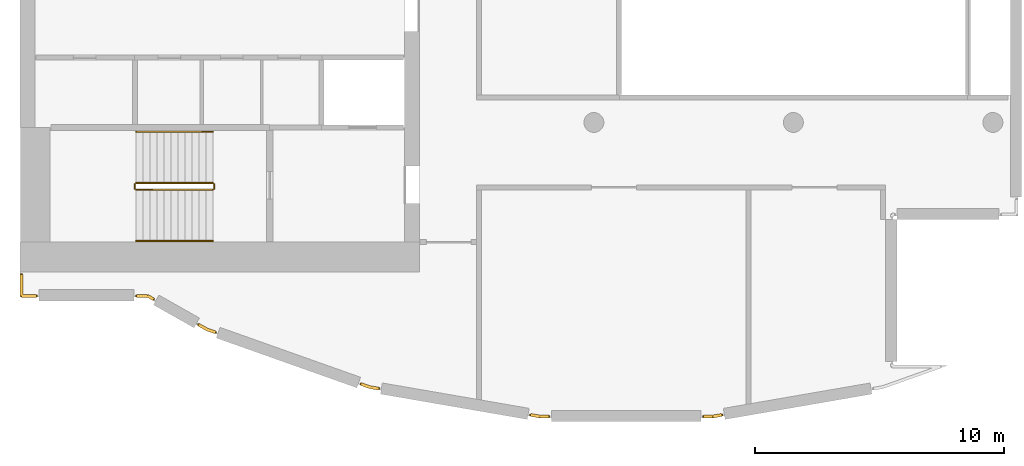
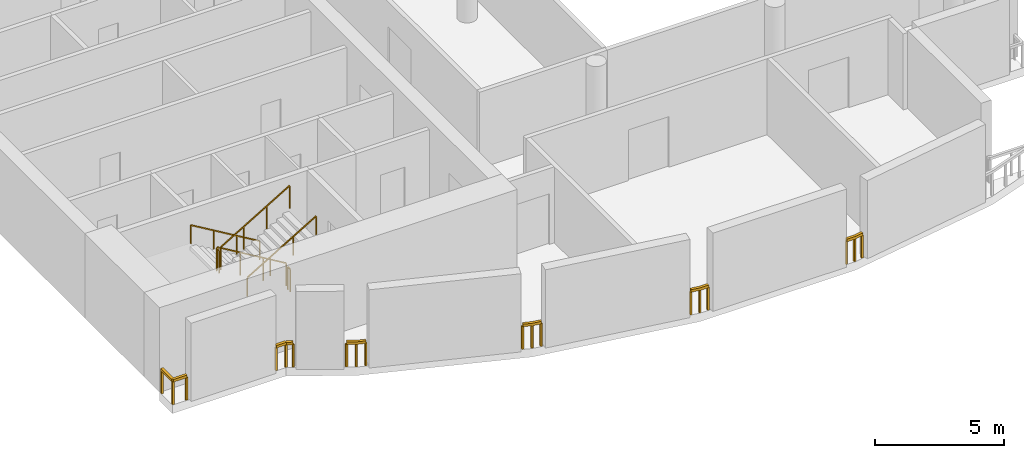
# One storey, part 5 of 8: 12 railings.
"""IFC4 building model written with IfcOpenShell, lengths in metres."""

from ifc_helpers import new_model, si_unit, direction, frame, origin, origin_2d, place, context, subcontext, project, spatial, rectangle, extrude, material, type_object, element, save


model = new_model("IFC4")

# Units and contexts
model_context = context("Model", 3, precision=1e-05, world=origin(), true_north=direction((0.0, 1.0)))
body_context = subcontext(model_context, "Body", "Model", "MODEL_VIEW")
ifc_project = project(units=[si_unit("LENGTHUNIT", "METRE"), si_unit("AREAUNIT", "SQUARE_METRE"), si_unit("VOLUMEUNIT", "CUBIC_METRE"), si_unit("PLANEANGLEUNIT", "RADIAN"), si_unit("MASSUNIT", "GRAM", prefix="KILO")], contexts=[model_context])

# Site, building, storey
site_placement = place(None, origin())
site = spatial("IfcSite", under=ifc_project, at=site_placement, CompositionType="ELEMENT")
building_placement = place(site_placement, origin())
building = spatial("IfcBuilding", under=site, at=building_placement, Name="Cypress Arch Tower", CompositionType="ELEMENT")
storey_placement = place(building_placement, frame((0.0, 0.0, 351.0)))
storey = spatial("IfcBuildingStorey", under=building, at=storey_placement, Name="L80", CompositionType="ELEMENT", Elevation=351.0)

# Railings
ifc_material_1 = material(Name="Stainless steel posts and handrail, laminated glass infill", Category="steel")
railing_type_1 = type_object("IfcRailingType", Name="Deck guard GR1200D", PredefinedType="GUARDRAIL", material=ifc_material_1)
railing_1_placement = place(storey_placement, frame((-29.35009765625, -16.949951171875, 0.0)))
element("IfcRailing", 1, at=railing_1_placement, inside=storey, type_object=railing_type_1, Name="Crown edge guard L80 1", PredefinedType="GUARDRAIL", context=body_context, shape_type="SweptSolid", body=[
    extrude(rectangle(XDim=0.1201171875, YDim=0.1201171875, at=origin_2d()), frame((0.0, 0.0, 1.139892578125), z_axis=(-1.0, 0.0, 0.0), x_axis=(0.0, -1.0, 0.0)), (0.0, 0.0, 1.0), 0.599853515625),
    extrude(rectangle(XDim=0.1201171875, YDim=0.1201171875, at=origin_2d()), frame((-0.599853515625, 0.0, 1.139892578125), z_axis=(0.0, 1.0, 0.0), x_axis=(-1.0, 0.0, 0.0)), (0.0, 0.0, 1.0), 0.849853515625),
    extrude(rectangle(XDim=0.080078125, YDim=0.080078125, at=origin_2d()), origin(), (0.0, 0.0, 1.0), 1.079833984375),
    extrude(rectangle(XDim=0.080078125, YDim=0.080078125, at=origin_2d()), frame((-0.599853515625, 0.0, 0.0)), (0.0, 0.0, 1.0), 1.079833984375),
    extrude(rectangle(XDim=0.080078125, YDim=0.080078125, at=origin_2d()), frame((-0.599853515625, 0.849853515625, 0.0)), (0.0, 0.0, 1.0), 1.079833984375),
])
railing_2_placement = place(storey_placement, frame((-24.6494140625, -17.08984375, 0.0)))
element("IfcRailing", 2, at=railing_2_placement, inside=storey, type_object=railing_type_1, Name="Crown edge guard L80 3", PredefinedType="GUARDRAIL", context=body_context, shape_type="SweptSolid", body=[
    extrude(rectangle(XDim=0.1201171875, YDim=0.1201171875, at=origin_2d()), frame((0.0, 0.0, 1.139892578125), z_axis=(-0.87040276366, 0.492340358911, 0.0), x_axis=(-0.492340358911, -0.87040276366, 0.0)), (0.0, 0.0, 1.0), 0.2841796875),
    extrude(rectangle(XDim=0.1201171875, YDim=0.1201171875, at=origin_2d()), frame((-0.247314453125, 0.139892578125, 1.139892578125), z_axis=(-1.0, 0.0, 0.0), x_axis=(0.0, -1.0, 0.0)), (0.0, 0.0, 1.0), 0.447509765625),
    extrude(rectangle(XDim=0.080078125, YDim=0.080078125, at=origin_2d()), origin(), (0.0, 0.0, 1.0), 1.079833984375),
    extrude(rectangle(XDim=0.080078125, YDim=0.080078125, at=origin_2d()), frame((-0.247314453125, 0.139892578125, 0.0)), (0.0, 0.0, 1.0), 1.079833984375),
    extrude(rectangle(XDim=0.080078125, YDim=0.080078125, at=origin_2d()), frame((-0.69482421875, 0.139892578125, 0.0)), (0.0, 0.0, 1.0), 1.079833984375),
])
railing_3_placement = place(storey_placement, frame((-22.168701171875, -18.418701171875, 0.0)))
element("IfcRailing", 3, at=railing_3_placement, inside=storey, type_object=railing_type_1, Name="Crown edge guard L80 4", PredefinedType="GUARDRAIL", context=body_context, shape_type="SweptSolid", body=[
    extrude(rectangle(XDim=0.1201171875, YDim=0.1201171875, at=origin_2d()), frame((0.0, 0.0, 1.139892578125), z_axis=(-0.942334309337, 0.334673048581, 0.0), x_axis=(-0.334673048581, -0.942334309337, 0.0)), (0.0, 0.0, 1.0), 0.3720703125),
    extrude(rectangle(XDim=0.1201171875, YDim=0.1201171875, at=origin_2d()), frame((-0.3505859375, 0.12451171875, 1.139892578125), z_axis=(-0.870574848938, 0.492036007215, 0.0), x_axis=(-0.492036007215, -0.870574848938, 0.0)), (0.0, 0.0, 1.0), 0.378662109375),
    extrude(rectangle(XDim=0.080078125, YDim=0.080078125, at=origin_2d()), origin(), (0.0, 0.0, 1.0), 1.079833984375),
    extrude(rectangle(XDim=0.080078125, YDim=0.080078125, at=origin_2d()), frame((-0.3505859375, 0.12451171875, 0.0)), (0.0, 0.0, 1.0), 1.079833984375),
    extrude(rectangle(XDim=0.080078125, YDim=0.080078125, at=origin_2d()), frame((-0.68017578125, 0.310791015625, 0.0)), (0.0, 0.0, 1.0), 1.079833984375),
])
railing_4_placement = place(storey_placement, frame((-15.621337890625, -20.6748046875, 0.0)))
element("IfcRailing", 4, at=railing_4_placement, inside=storey, type_object=railing_type_1, Name="Crown edge guard L80 7", PredefinedType="GUARDRAIL", context=body_context, shape_type="SweptSolid", body=[
    extrude(rectangle(XDim=0.1201171875, YDim=0.1201171875, at=origin_2d()), frame((0.0, 0.0, 1.139892578125), z_axis=(-0.985399325675, 0.170259122982, 0.0), x_axis=(-0.170259122982, -0.985399325675, 0.0)), (0.0, 0.0, 1.0), 0.371337890625),
    extrude(rectangle(XDim=0.1201171875, YDim=0.1201171875, at=origin_2d()), frame((-0.365966796875, 0.063232421875, 1.139892578125), z_axis=(-0.942368632672, 0.334576389119, 0.0), x_axis=(-0.334576389119, -0.942368632672, 0.0)), (0.0, 0.0, 1.0), 0.3779296875),
    extrude(rectangle(XDim=0.080078125, YDim=0.080078125, at=origin_2d()), origin(), (0.0, 0.0, 1.0), 1.079833984375),
    extrude(rectangle(XDim=0.080078125, YDim=0.080078125, at=origin_2d()), frame((-0.365966796875, 0.063232421875, 0.0)), (0.0, 0.0, 1.0), 1.079833984375),
    extrude(rectangle(XDim=0.080078125, YDim=0.080078125, at=origin_2d()), frame((-0.72216796875, 0.189697265625, 0.0)), (0.0, 0.0, 1.0), 1.079833984375),
])
railing_5_placement = place(storey_placement, frame((-8.794189453125, -21.7900390625, 0.0)))
element("IfcRailing", 5, at=railing_5_placement, inside=storey, type_object=railing_type_1, Name="Crown edge guard L80 9", PredefinedType="GUARDRAIL", context=body_context, shape_type="SweptSolid", body=[
    extrude(rectangle(XDim=0.1201171875, YDim=0.1201171875, at=origin_2d()), frame((0.0, 0.0, 1.139892578125), z_axis=(-1.0, 0.0, 0.0), x_axis=(0.0, -1.0, 0.0)), (0.0, 0.0, 1.0), 0.37158203125),
    extrude(rectangle(XDim=0.1201171875, YDim=0.1201171875, at=origin_2d()), frame((-0.37158203125, 0.0, 1.139892578125), z_axis=(-0.985363023372, 0.170469094476, 0.0), x_axis=(-0.170469094476, -0.985363023372, 0.0)), (0.0, 0.0, 1.0), 0.378173828125),
    extrude(rectangle(XDim=0.080078125, YDim=0.080078125, at=origin_2d()), origin(), (0.0, 0.0, 1.0), 1.079833984375),
    extrude(rectangle(XDim=0.080078125, YDim=0.080078125, at=origin_2d()), frame((-0.37158203125, 0.0, 0.0)), (0.0, 0.0, 1.0), 1.079833984375),
    extrude(rectangle(XDim=0.080078125, YDim=0.080078125, at=origin_2d()), frame((-0.744140625, 0.064453125, 0.0)), (0.0, 0.0, 1.0), 1.079833984375),
])
railing_6_placement = place(storey_placement, frame((-1.868408203125, -21.726806640625, 0.0)))
element("IfcRailing", 6, at=railing_6_placement, inside=storey, type_object=railing_type_1, Name="Crown edge guard L80 12", PredefinedType="GUARDRAIL", context=body_context, shape_type="SweptSolid", body=[
    extrude(rectangle(XDim=0.1201171875, YDim=0.1201171875, at=origin_2d()), frame((0.0, 0.0, 1.139892578125), z_axis=(-0.985399325675, -0.170259122982, 0.0), x_axis=(0.170259122982, -0.985399325675, 0.0)), (0.0, 0.0, 1.0), 0.371337890625),
    extrude(rectangle(XDim=0.1201171875, YDim=0.1201171875, at=origin_2d()), frame((-0.365966796875, -0.063232421875, 1.139892578125), z_axis=(-1.0, 0.0, 0.0), x_axis=(0.0, -1.0, 0.0)), (0.0, 0.0, 1.0), 0.3779296875),
    extrude(rectangle(XDim=0.080078125, YDim=0.080078125, at=origin_2d()), origin(), (0.0, 0.0, 1.0), 1.079833984375),
    extrude(rectangle(XDim=0.080078125, YDim=0.080078125, at=origin_2d()), frame((-0.365966796875, -0.063232421875, 0.0)), (0.0, 0.0, 1.0), 1.079833984375),
    extrude(rectangle(XDim=0.080078125, YDim=0.080078125, at=origin_2d()), frame((-0.743896484375, -0.063232421875, 0.0)), (0.0, 0.0, 1.0), 1.079833984375),
])
ifc_material_2 = material(Name="Black powder-coated steel square bar 48 mm", Category="steel")
railing_type_2 = type_object("IfcRailingType", Name="Stair handrail HR1", PredefinedType="HANDRAIL", material=ifc_material_2)
railing_7_placement = place(storey_placement, frame((-22.27490234375, -10.375, 0.166748046875)))
element("IfcRailing", 7, at=railing_7_placement, inside=storey, type_object=railing_type_2, Name="L80 A stair handrail 1", PredefinedType="HANDRAIL", context=body_context, shape_type="SweptSolid", body=[
    extrude(rectangle(XDim=0.048095703125, YDim=0.048095703125, at=origin_2d()), frame((0.0, 0.0, 0.8759765625), z_axis=(-0.859308565015, 0.0, 0.511457515432), x_axis=(0.0, -1.0, 0.0)), (0.0, 0.0, 1.0), 3.58447265625),
    extrude(rectangle(XDim=0.0419921875, YDim=0.0419921875, at=origin_2d()), origin(), (0.0, 0.0, 1.0), 0.851806640625),
    extrude(rectangle(XDim=0.0419921875, YDim=0.0419921875, at=origin_2d()), frame((-1.026611328125, 0.0, 0.611083984375)), (0.0, 0.0, 1.0), 0.851806640625),
    extrude(rectangle(XDim=0.0419921875, YDim=0.0419921875, at=origin_2d()), frame((-2.053466796875, 0.0, 1.22216796875)), (0.0, 0.0, 1.0), 0.851806640625),
    extrude(rectangle(XDim=0.0419921875, YDim=0.0419921875, at=origin_2d()), frame((-3.080078125, 0.0, 1.833251953125)), (0.0, 0.0, 1.0), 0.851806640625),
])
railing_8_placement = place(storey_placement, frame((-25.35498046875, -14.75, 2.166748046875)))
element("IfcRailing", 8, at=railing_8_placement, inside=storey, type_object=railing_type_2, Name="L80 A stair handrail 2", PredefinedType="HANDRAIL", context=body_context, shape_type="SweptSolid", body=[
    extrude(rectangle(XDim=0.048095703125, YDim=0.048095703125, at=origin_2d()), frame((0.0, 0.0, 0.8759765625), z_axis=(0.859308565015, 0.0, 0.511457515432), x_axis=(0.0, 1.0, 0.0)), (0.0, 0.0, 1.0), 3.58447265625),
    extrude(rectangle(XDim=0.0419921875, YDim=0.0419921875, at=origin_2d()), origin(), (0.0, 0.0, 1.0), 0.851806640625),
    extrude(rectangle(XDim=0.0419921875, YDim=0.0419921875, at=origin_2d()), frame((1.026611328125, 0.0, 0.611083984375)), (0.0, 0.0, 1.0), 0.851806640625),
    extrude(rectangle(XDim=0.0419921875, YDim=0.0419921875, at=origin_2d()), frame((2.053466796875, 0.0, 1.22216796875)), (0.0, 0.0, 1.0), 0.851806640625),
    extrude(rectangle(XDim=0.0419921875, YDim=0.0419921875, at=origin_2d()), frame((3.080078125, 0.0, 1.833251953125)), (0.0, 0.0, 1.0), 0.851806640625),
])
ifc_material_3 = material(Name="Black powder-coated steel balusters", Category="steel")
railing_type_3 = type_object("IfcRailingType", Name="Stair well guard G1", PredefinedType="GUARDRAIL", material=ifc_material_3)
railing_9_placement = place(storey_placement, frame((-22.27490234375, -12.425048828125, 0.166748046875)))
element("IfcRailing", 9, at=railing_9_placement, inside=storey, type_object=railing_type_3, Name="L80 A stair guard 1", PredefinedType="GUARDRAIL", context=body_context, shape_type="SweptSolid", body=[
    extrude(rectangle(XDim=0.048095703125, YDim=0.048095703125, at=origin_2d()), frame((0.0, 0.0, 1.076171875), z_axis=(-0.859308565015, 0.0, 0.511457515432), x_axis=(0.0, -1.0, 0.0)), (0.0, 0.0, 1.0), 3.58447265625),
    extrude(rectangle(XDim=0.0419921875, YDim=0.0419921875, at=origin_2d()), origin(), (0.0, 0.0, 1.0), 1.052001953125),
    extrude(rectangle(XDim=0.0419921875, YDim=0.0419921875, at=origin_2d()), frame((-1.026611328125, 0.0, 0.611083984375)), (0.0, 0.0, 1.0), 1.052001953125),
    extrude(rectangle(XDim=0.0419921875, YDim=0.0419921875, at=origin_2d()), frame((-2.053466796875, 0.0, 1.22216796875)), (0.0, 0.0, 1.0), 1.052001953125),
    extrude(rectangle(XDim=0.0419921875, YDim=0.0419921875, at=origin_2d()), frame((-3.080078125, 0.0, 1.833251953125)), (0.0, 0.0, 1.0), 1.052001953125),
])
railing_10_placement = place(storey_placement, frame((-25.405029296875, -12.47509765625, 2.0)))
element("IfcRailing", 10, at=railing_10_placement, inside=storey, type_object=railing_type_3, Name="L80 A stair guard 2", PredefinedType="GUARDRAIL", context=body_context, shape_type="SweptSolid", body=[
    extrude(rectangle(XDim=0.048095703125, YDim=0.048095703125, at=origin_2d()), frame((0.0, 0.0, 1.076171875), z_axis=(0.0, -1.0, 0.0), x_axis=(1.0, 0.0, 0.0)), (0.0, 0.0, 1.0), 0.1748046875),
    extrude(rectangle(XDim=0.0419921875, YDim=0.0419921875, at=origin_2d()), origin(), (0.0, 0.0, 1.0), 1.052001953125),
    extrude(rectangle(XDim=0.0419921875, YDim=0.0419921875, at=origin_2d()), frame((0.0, -0.1748046875, 0.0)), (0.0, 0.0, 1.0), 1.052001953125),
])
railing_11_placement = place(storey_placement, frame((-25.35498046875, -12.699951171875, 2.166748046875)))
element("IfcRailing", 11, at=railing_11_placement, inside=storey, type_object=railing_type_3, Name="L80 A stair guard 3", PredefinedType="GUARDRAIL", context=body_context, shape_type="SweptSolid", body=[
    extrude(rectangle(XDim=0.048095703125, YDim=0.048095703125, at=origin_2d()), frame((0.0, 0.0, 1.076171875), z_axis=(0.859308565015, 0.0, 0.511457515432), x_axis=(0.0, 1.0, 0.0)), (0.0, 0.0, 1.0), 3.58447265625),
    extrude(rectangle(XDim=0.0419921875, YDim=0.0419921875, at=origin_2d()), origin(), (0.0, 0.0, 1.0), 1.052001953125),
    extrude(rectangle(XDim=0.0419921875, YDim=0.0419921875, at=origin_2d()), frame((1.026611328125, 0.0, 0.611083984375)), (0.0, 0.0, 1.0), 1.052001953125),
    extrude(rectangle(XDim=0.0419921875, YDim=0.0419921875, at=origin_2d()), frame((2.053466796875, 0.0, 1.22216796875)), (0.0, 0.0, 1.0), 1.052001953125),
    extrude(rectangle(XDim=0.0419921875, YDim=0.0419921875, at=origin_2d()), frame((3.080078125, 0.0, 1.833251953125)), (0.0, 0.0, 1.0), 1.052001953125),
])
railing_12_placement = place(storey_placement, frame((-22.22509765625, -12.47509765625, 0.0)))
element("IfcRailing", 12, at=railing_12_placement, inside=storey, type_object=railing_type_3, Name="L80 A stair guard 4", PredefinedType="GUARDRAIL", context=body_context, shape_type="SweptSolid", body=[
    extrude(rectangle(XDim=0.048095703125, YDim=0.048095703125, at=origin_2d()), frame((0.0, 0.0, 1.076171875), z_axis=(0.0, -1.0, 0.0), x_axis=(1.0, 0.0, 0.0)), (0.0, 0.0, 1.0), 0.1748046875),
    extrude(rectangle(XDim=0.0419921875, YDim=0.0419921875, at=origin_2d()), origin(), (0.0, 0.0, 1.0), 1.052001953125),
    extrude(rectangle(XDim=0.0419921875, YDim=0.0419921875, at=origin_2d()), frame((0.0, -0.1748046875, 0.0)), (0.0, 0.0, 1.0), 1.052001953125),
])

save(model, "model.ifc")
